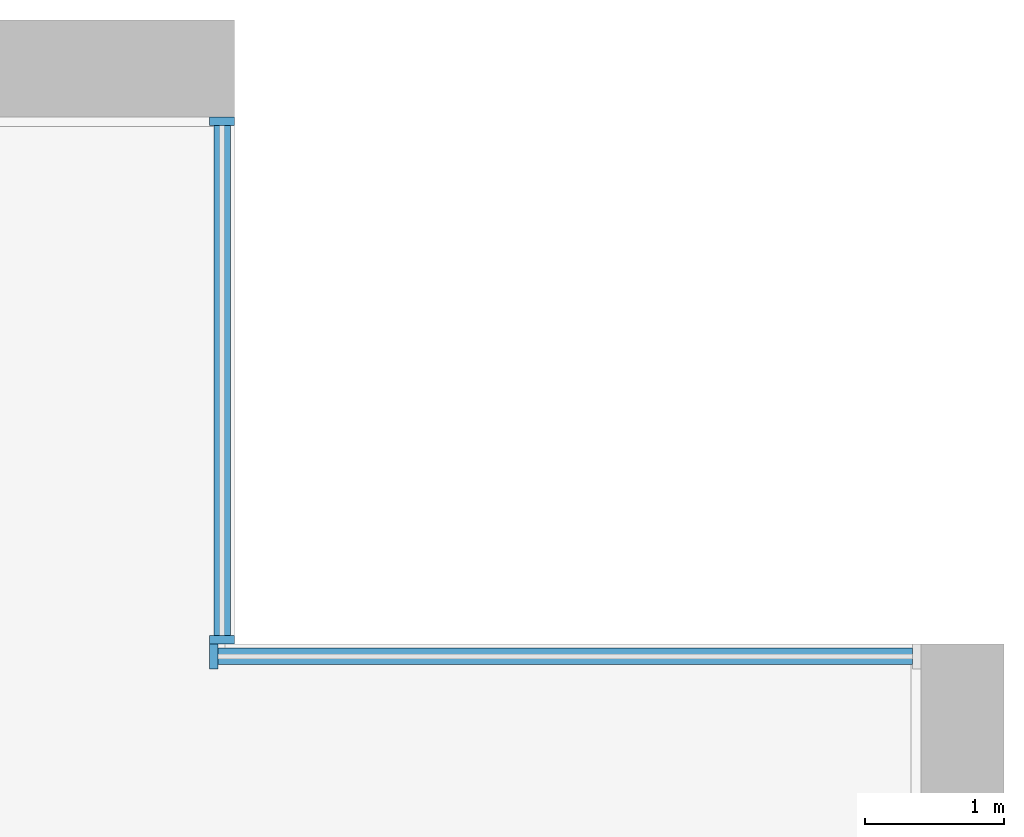
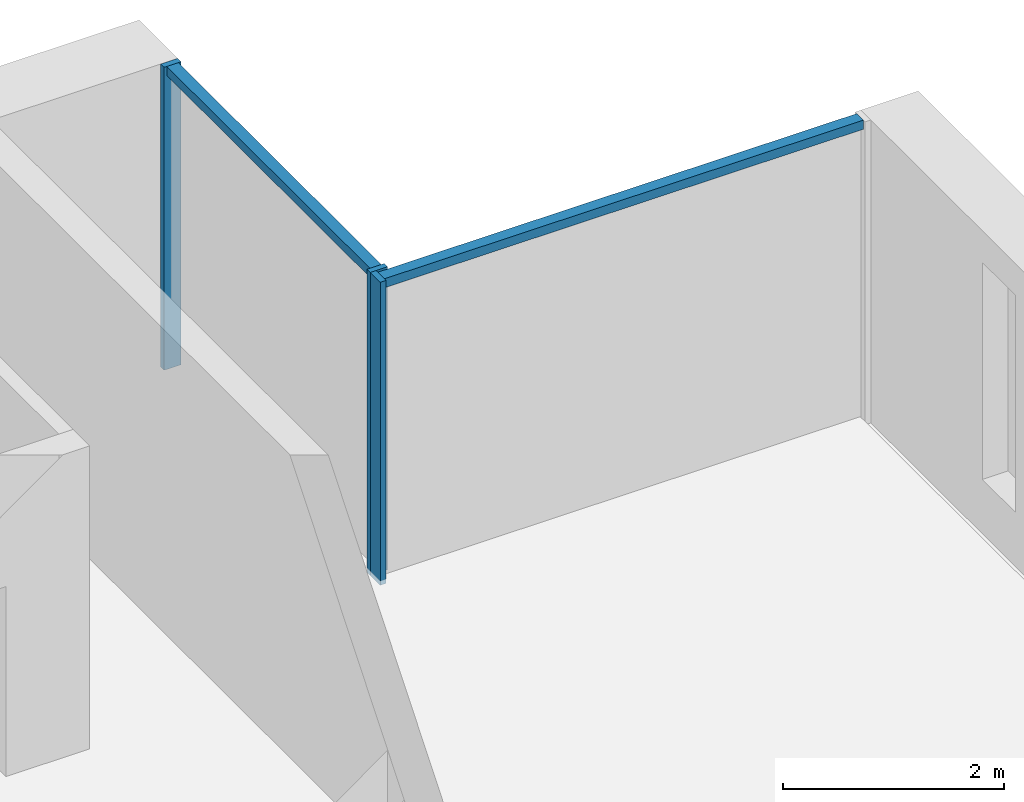
# One storey, part 5 of 17: 5 members, 2 elements without a shape of their own.
"""IFC4 building model written with IfcOpenShell, lengths in metres."""

from ifc_helpers import new_model, si_unit, direction, frame, origin, origin_2d, place, context, subcontext, project, spatial, rectangle, extrude, material, material_profile, profile_set, type_object, element, aggregate, save


model = new_model("IFC4")

# Units and contexts
model_context = context("Model", 3, precision=1e-05, world=origin(), true_north=direction((0.0, 1.0)))
body_context = subcontext(model_context, "Body", "Model", "MODEL_VIEW")
ifc_project = project(units=[si_unit("LENGTHUNIT", "METRE"), si_unit("AREAUNIT", "SQUARE_METRE"), si_unit("VOLUMEUNIT", "CUBIC_METRE"), si_unit("PLANEANGLEUNIT", "RADIAN"), si_unit("MASSUNIT", "GRAM", prefix="KILO")], contexts=[model_context])

# Site, building, storey
site_placement = place(None, origin())
site = spatial("IfcSite", under=ifc_project, at=site_placement, CompositionType="ELEMENT")
building_placement = place(site_placement, origin())
building = spatial("IfcBuilding", under=site, at=building_placement, Name="Calvaro Tower", CompositionType="ELEMENT")
storey_placement = place(building_placement, frame((0.0, 0.0, 170.5)))
storey = spatial("IfcBuildingStorey", under=building, at=storey_placement, Name="L42", CompositionType="ELEMENT", Elevation=170.5)

# Curtain wall, members
ifc_material_1 = material(Name="Anodised aluminium", Category="aluminium")
curtain_wall_type = type_object("IfcCurtainWallType", Name="Office curtain wall, upper zone", PredefinedType="NOTDEFINED", material=ifc_material_1)
curtain_wall_1_placement = place(storey_placement, origin())
curtain_wall_1 = element("IfcCurtainWall", 1, at=curtain_wall_1_placement, inside=storey, type_object=curtain_wall_type, Name="CW3 corner curtain wall", PredefinedType="NOTDEFINED")
ifc_material_2 = material(Name="Anodised aluminium", Category="aluminium")
ifc_material_profile_1 = material_profile(ifc_material_2, rectangle(XDim=0.179931640625, YDim=0.06005859375, at=origin_2d()), Name="Mullion S3 60 x 180")
ifc_profile_set_1 = profile_set([ifc_material_profile_1], Name="Anodised aluminium")
member_type_1 = type_object("IfcMemberType", Name="Mullion S3 60 x 180", PredefinedType="MULLION", material=ifc_profile_set_1)
member_1_placement = place(storey_placement, frame((66.360107421875, 41.530029296875, 0.0), z_axis=(0.0, 0.0, 1.0), x_axis=(-1.0, 0.0, 0.0)))
member_1 = element("IfcMember", 2, at=member_1_placement, type_object=member_type_1, Name="CW3 mullion 1", PredefinedType="MULLION", context=body_context, shape_type="SweptSolid", body=[
    extrude(rectangle(XDim=0.179931640625, YDim=0.06005859375, at=origin_2d()), origin(), (0.0, 0.0, 1.0), 3.35009765625),
])
member_2_placement = place(storey_placement, frame((66.360107421875, 45.27001953125, 0.0), z_axis=(0.0, 0.0, 1.0), x_axis=(-1.0, 0.0, 0.0)))
member_2 = element("IfcMember", 3, at=member_2_placement, type_object=member_type_1, Name="CW3 mullion 2", PredefinedType="MULLION", context=body_context, shape_type="SweptSolid", body=[
    extrude(rectangle(XDim=0.179931640625, YDim=0.06005859375, at=origin_2d()), origin(), (0.0, 0.0, 1.0), 3.35009765625),
])

# Curtain wall, member
curtain_wall_2_placement = place(storey_placement, origin())
curtain_wall_2 = element("IfcCurtainWall", 4, at=curtain_wall_2_placement, inside=storey, type_object=curtain_wall_type, Name="CW3 corner curtain wall", PredefinedType="NOTDEFINED")
member_3_placement = place(storey_placement, frame((66.300048828125, 41.409912109375, 0.0), z_axis=(0.0, 0.0, 1.0), x_axis=(0.0, 1.0, 0.0)))
member_3 = element("IfcMember", 5, at=member_3_placement, type_object=member_type_1, Name="CW3 mullion 1", PredefinedType="MULLION", context=body_context, shape_type="SweptSolid", body=[
    extrude(rectangle(XDim=0.179931640625, YDim=0.06005859375, at=origin_2d()), origin(), (0.0, 0.0, 1.0), 3.35009765625),
])

# Member
ifc_material_3 = material(Name="Anodised aluminium", Category="aluminium")
ifc_material_profile_2 = material_profile(ifc_material_3, rectangle(XDim=0.1201171875, YDim=0.10009765625, at=origin_2d()), Name="Transom S3 100 x 120")
ifc_profile_set_2 = profile_set([ifc_material_profile_2], Name="Anodised aluminium")
member_type_2 = type_object("IfcMemberType", Name="Transom S3 100 x 120", PredefinedType="USERDEFINED", material=ifc_profile_set_2)
member_4_placement = place(storey_placement, frame((66.360107421875, 41.56005859375, 3.300048828125), z_axis=(0.0, 1.0, 0.0), x_axis=(-1.0, 0.0, 0.0)))
member_4 = element("IfcMember", 6, at=member_4_placement, type_object=member_type_2, Name="CW3 transom 1.1", ObjectType="TRANSOM", PredefinedType="USERDEFINED", context=body_context, shape_type="SweptSolid", body=[
    extrude(rectangle(XDim=0.1201171875, YDim=0.10009765625, at=origin_2d()), origin(), (0.0, 0.0, 1.0), 3.679931640625),
])

aggregate(curtain_wall_1, [member_1, member_2, member_4])

member_5_placement = place(storey_placement, frame((66.330078125, 41.409912109375, 3.300048828125), z_axis=(1.0, 0.0, 0.0), x_axis=(0.0, 1.0, 0.0)))
member_5 = element("IfcMember", 7, at=member_5_placement, type_object=member_type_2, Name="CW3 transom 1.1", ObjectType="TRANSOM", PredefinedType="USERDEFINED", context=body_context, shape_type="SweptSolid", body=[
    extrude(rectangle(XDim=0.1201171875, YDim=0.10009765625, at=origin_2d()), origin(), (0.0, 0.0, 1.0), 5.010009765625),
])

aggregate(curtain_wall_2, [member_3, member_5])

save(model, "model.ifc")
